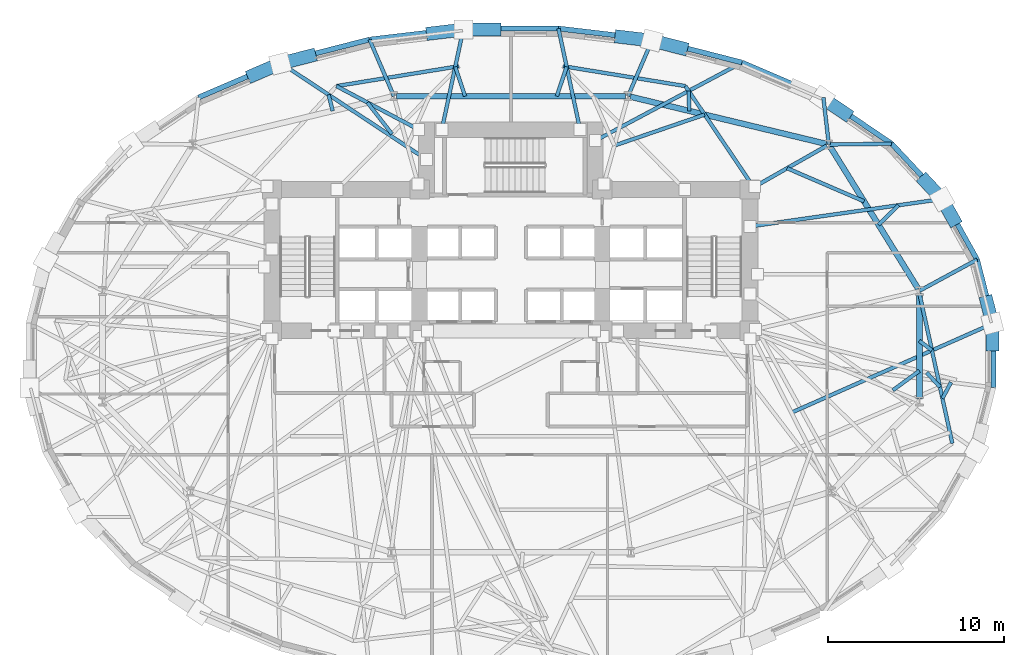
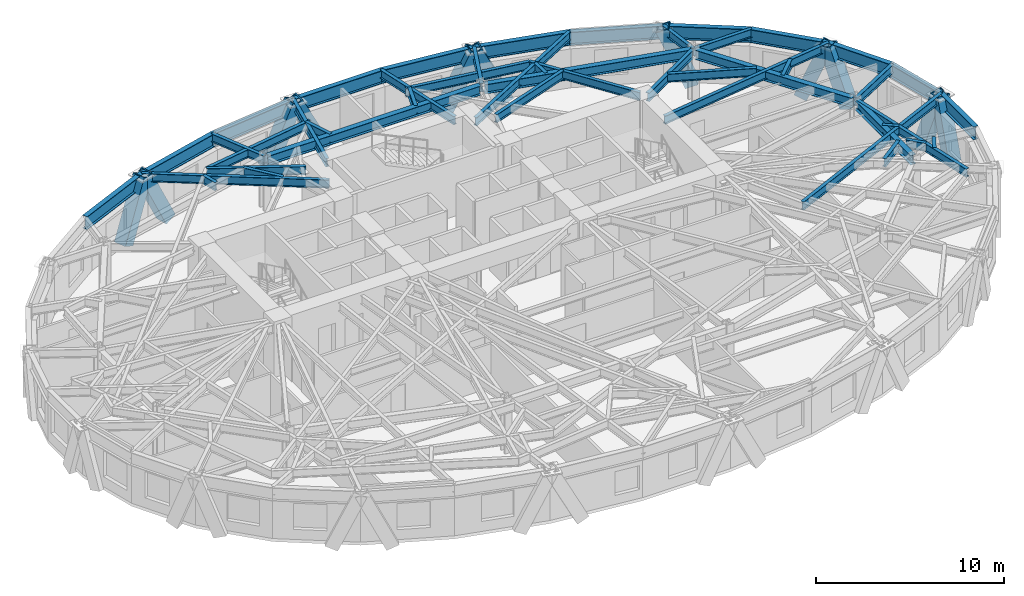
# One storey, part 4 of 13: 45 beams, 11 members.
"""IFC4 building model written with IfcOpenShell, lengths in metres."""

from ifc_helpers import new_model, si_unit, direction, frame, origin, origin_2d, place, context, subcontext, project, spatial, hollow_rectangle, i_section, extrude, material, material_profile, profile_set, type_object, element, save


model = new_model("IFC4")

# Units and contexts
model_context = context("Model", 3, precision=1e-05, world=origin(), true_north=direction((0.0, 1.0)))
body_context = subcontext(model_context, "Body", "Model", "MODEL_VIEW")
ifc_project = project(units=[si_unit("LENGTHUNIT", "METRE"), si_unit("AREAUNIT", "SQUARE_METRE"), si_unit("VOLUMEUNIT", "CUBIC_METRE"), si_unit("PLANEANGLEUNIT", "RADIAN"), si_unit("MASSUNIT", "GRAM", prefix="KILO")], contexts=[model_context])

# Site, building, storey
site_placement = place(None, origin())
site = spatial("IfcSite", under=ifc_project, at=site_placement, CompositionType="ELEMENT")
building_placement = place(site_placement, origin())
building = spatial("IfcBuilding", under=site, at=building_placement, Name="Keldmark Tower", CompositionType="ELEMENT")
storey_placement = place(building_placement, frame((0.0, 0.0, 45.0)))
storey = spatial("IfcBuildingStorey", under=building, at=storey_placement, Name="L11", CompositionType="ELEMENT", Elevation=45.0)

# Members
ifc_material_1 = material(Name="Steel ASTM A572 Grade 50", Category="steel")
ifc_material_profile_1 = material_profile(ifc_material_1, hollow_rectangle(XDim=0.75, YDim=0.75, WallThickness=0.06494140625, at=origin_2d()), Name="BOX750X750X65")
ifc_profile_set_1 = profile_set([ifc_material_profile_1], Name="Steel ASTM A572 Grade 50")
member_type = type_object("IfcMemberType", Name="Diagrid Lower Brace BOX750X750X65", PredefinedType="BRACE", material=ifc_profile_set_1)
member_1_placement = place(storey_placement, frame((27.096923828125, 3.034423828125, -0.280029296875), z_axis=(0.08200809788, -0.320071068679, 0.94383747694), x_axis=(0.968708564556, 0.248200960828, 0.0)))
element("IfcMember", 1, at=member_1_placement, inside=storey, type_object=member_type, Name="L11 Perimeter Diagrid Brace 01A", PredefinedType="BRACE", context=body_context, shape_type="SweptSolid", body=[
    extrude(hollow_rectangle(XDim=0.75, YDim=0.75, WallThickness=0.06494140625, at=origin_2d()), origin(), (0.0, 0.0, 1.0), 3.77197265625),
])
member_2_placement = place(storey_placement, frame((25.1943359375, 7.742919921875, -0.280029296875), z_axis=(-0.16943120398, 0.303561561286, 0.937626495801), x_axis=(-0.873195871477, -0.487369438963, 0.0)))
element("IfcMember", 2, at=member_2_placement, inside=storey, type_object=member_type, Name="L11 Perimeter Diagrid Brace 01B", PredefinedType="BRACE", context=body_context, shape_type="SweptSolid", body=[
    extrude(hollow_rectangle(XDim=0.75, YDim=0.75, WallThickness=0.06494140625, at=origin_2d()), origin(), (0.0, 0.0, 1.0), 3.796875),
])
member_3_placement = place(storey_placement, frame((23.576904296875, 9.93115234375, -0.280029296875), z_axis=(0.254983110742, -0.272732683571, 0.927685559092), x_axis=(0.730477044088, 0.682937250456, 0.0)))
element("IfcMember", 3, at=member_3_placement, inside=storey, type_object=member_type, Name="L11 Perimeter Diagrid Brace 02A", PredefinedType="BRACE", context=body_context, shape_type="SweptSolid", body=[
    extrude(hollow_rectangle(XDim=0.75, YDim=0.75, WallThickness=0.06494140625, at=origin_2d()), origin(), (0.0, 0.0, 1.0), 3.837646484375),
])
member_4_placement = place(storey_placement, frame((19.035400390625, 13.769775390625, -0.280029296875), z_axis=(-0.333111984049, 0.225757763784, 0.915461543799), x_axis=(-0.561020614618, -0.827801830134, 0.0)))
element("IfcMember", 4, at=member_4_placement, inside=storey, type_object=member_type, Name="L11 Perimeter Diagrid Brace 02B", PredefinedType="BRACE", context=body_context, shape_type="SweptSolid", body=[
    extrude(hollow_rectangle(XDim=0.75, YDim=0.75, WallThickness=0.06494140625, at=origin_2d()), origin(), (0.0, 0.0, 1.0), 3.888916015625),
])
member_5_placement = place(storey_placement, frame((9.722900390625, 17.493896484375, -0.280029296875), z_axis=(-0.428497120412, 0.109784320358, 0.896848716787), x_axis=(-0.248191356425, -0.96871102533, 0.0)))
element("IfcMember", 5, at=member_5_placement, inside=storey, type_object=member_type, Name="L11 Perimeter Diagrid Brace 03B", PredefinedType="BRACE", context=body_context, shape_type="SweptSolid", body=[
    extrude(hollow_rectangle(XDim=0.75, YDim=0.75, WallThickness=0.06494140625, at=origin_2d()), origin(), (0.0, 0.0, 1.0), 3.969482421875),
])
member_6_placement = place(storey_placement, frame((6.251220703125, 18.134765625, -0.280029296875), z_axis=(0.446938713655, -0.052545000865, 0.893020049674), x_axis=(0.116762289112, 0.993159890371, 0.0)))
element("IfcMember", 6, at=member_6_placement, inside=storey, type_object=member_type, Name="L11 Perimeter Diagrid Brace 04A", PredefinedType="BRACE", context=body_context, shape_type="SweptSolid", body=[
    extrude(hollow_rectangle(XDim=0.75, YDim=0.75, WallThickness=0.06494140625, at=origin_2d()), origin(), (0.0, 0.0, 1.0), 3.986572265625),
])
member_7_placement = place(storey_placement, frame((-0.90771484375, 18.551513671875, -0.280029296875), z_axis=(-0.451905727985, 0.0, 0.892065699943), x_axis=(0.0, -1.0, 0.0)))
element("IfcMember", 7, at=member_7_placement, inside=storey, type_object=member_type, Name="L11 Perimeter Diagrid Brace 04B", PredefinedType="BRACE", context=body_context, shape_type="SweptSolid", body=[
    extrude(hollow_rectangle(XDim=0.75, YDim=0.75, WallThickness=0.06494140625, at=origin_2d()), origin(), (0.0, 0.0, 1.0), 3.99072265625),
])
member_8_placement = place(storey_placement, frame((-4.48095703125, 18.342041015625, -0.280029296875), z_axis=(0.446938713655, 0.052545000865, 0.893020049674), x_axis=(-0.116762289112, 0.993159890371, 0.0)))
element("IfcMember", 8, at=member_8_placement, inside=storey, type_object=member_type, Name="L11 Perimeter Diagrid Brace 05A", PredefinedType="BRACE", context=body_context, shape_type="SweptSolid", body=[
    extrude(hollow_rectangle(XDim=0.75, YDim=0.75, WallThickness=0.06494140625, at=origin_2d()), origin(), (0.0, 0.0, 1.0), 3.986572265625),
])
member_9_placement = place(storey_placement, frame((-11.43505859375, 17.053466796875, -0.280029296875), z_axis=(-0.428494226352, -0.109845082283, 0.89684265949), x_axis=(0.248321827558, -0.96867758824, 0.0)))
element("IfcMember", 9, at=member_9_placement, inside=storey, type_object=member_type, Name="L11 Perimeter Diagrid Brace 05B", PredefinedType="BRACE", context=body_context, shape_type="SweptSolid", body=[
    extrude(hollow_rectangle(XDim=0.75, YDim=0.75, WallThickness=0.06494140625, at=origin_2d()), origin(), (0.0, 0.0, 1.0), 3.969482421875),
])
member_10_placement = place(storey_placement, frame((-14.66943359375, 15.958984375, -0.280029296875), z_axis=(0.392299493002, 0.168429564178, 0.904285679253), x_axis=(-0.394515266189, 0.918889386566, 0.0)))
element("IfcMember", 10, at=member_10_placement, inside=storey, type_object=member_type, Name="L11 Perimeter Diagrid Brace 06A", PredefinedType="BRACE", context=body_context, shape_type="SweptSolid", body=[
    extrude(hollow_rectangle(XDim=0.75, YDim=0.75, WallThickness=0.06494140625, at=origin_2d()), origin(), (0.0, 0.0, 1.0), 3.936767578125),
])
member_11_placement = place(storey_placement, frame((27.40625, 0.616943359375, -0.280029296875), z_axis=(0.0, 0.324641042054, 0.945837297749), x_axis=(-1.0, 0.0, 0.0)))
element("IfcMember", 11, at=member_11_placement, inside=storey, type_object=member_type, Name="L11 Perimeter Diagrid Brace 16B", PredefinedType="BRACE", context=body_context, shape_type="SweptSolid", body=[
    extrude(hollow_rectangle(XDim=0.75, YDim=0.75, WallThickness=0.06494140625, at=origin_2d()), origin(), (0.0, 0.0, 1.0), 3.763916015625),
])

# Beams
ifc_material_2 = material(Name="Steel ASTM A992 Grade 50", Category="steel")
ifc_material_profile_2 = material_profile(ifc_material_2, i_section(OverallWidth=0.323974609375, OverallDepth=0.611083984375, WebThickness=0.0126953125, FlangeThickness=0.01904296875, at=origin_2d()), Name="W24X104")
ifc_profile_set_2 = profile_set([ifc_material_profile_2], Name="Steel ASTM A992 Grade 50")
beam_type_1 = type_object("IfcBeamType", Name="Primary Floor Girder W24X104", PredefinedType="BEAM", material=ifc_profile_set_2)
beam_1_placement = place(storey_placement, frame((23.180419921875, 3.796142578125, 3.094482421875), z_axis=(-0.526318405849, 0.850287560573, 0.0), x_axis=(-0.850287560573, -0.526318405849, 0.0)))
element("IfcBeam", 12, at=beam_1_placement, inside=storey, type_object=beam_type_1, Name="L11 Floor Ring Girder FG-R01", PredefinedType="BEAM", context=body_context, shape_type="SweptSolid", body=[
    extrude(i_section(OverallWidth=0.323974609375, OverallDepth=0.611083984375, WebThickness=0.0126953125, FlangeThickness=0.01904296875, at=origin_2d()), origin(), (0.0, 0.0, 1.0), 9.51708984375),
])
beam_2_placement = place(storey_placement, frame((17.961669921875, 12.040283203125, 3.094482421875), z_axis=(-0.972218707757, 0.2340743136, 0.0), x_axis=(-0.2340743136, -0.972218707757, 0.0)))
element("IfcBeam", 13, at=beam_2_placement, inside=storey, type_object=beam_type_1, Name="L11 Floor Ring Girder FG-R02", PredefinedType="BEAM", context=body_context, shape_type="SweptSolid", body=[
    extrude(i_section(OverallWidth=0.323974609375, OverallDepth=0.611083984375, WebThickness=0.0126953125, FlangeThickness=0.01904296875, at=origin_2d()), origin(), (0.0, 0.0, 1.0), 11.479248046875),
])
beam_3_placement = place(storey_placement, frame((6.525146484375, 14.760009765625, 3.094482421875), z_axis=(-1.0, 0.0, 0.0), x_axis=(0.0, -1.0, 0.0)))
element("IfcBeam", 14, at=beam_3_placement, inside=storey, type_object=beam_type_1, Name="L11 Floor Ring Girder FG-R03", PredefinedType="BEAM", context=body_context, shape_type="SweptSolid", body=[
    extrude(i_section(OverallWidth=0.323974609375, OverallDepth=0.611083984375, WebThickness=0.0126953125, FlangeThickness=0.01904296875, at=origin_2d()), origin(), (0.0, 0.0, 1.0), 13.05029296875),
])
beam_4_placement = place(storey_placement, frame((23.25390625, -2.47314453125, 3.094482421875), z_axis=(0.0, 1.0, 0.0), x_axis=(-1.0, 0.0, 0.0)))
element("IfcBeam", 15, at=beam_4_placement, inside=storey, type_object=beam_type_1, Name="L11 Floor Ring Girder FG-R12", PredefinedType="BEAM", context=body_context, shape_type="SweptSolid", body=[
    extrude(i_section(OverallWidth=0.323974609375, OverallDepth=0.611083984375, WebThickness=0.0126953125, FlangeThickness=0.01904296875, at=origin_2d()), origin(), (0.0, 0.0, 1.0), 6.01025390625),
])
ifc_material_3 = material(Name="Steel ASTM A992 Grade 50", Category="steel")
ifc_material_profile_3 = material_profile(ifc_material_3, i_section(OverallWidth=0.2099609375, OverallDepth=0.537109375, WebThickness=0.010986328125, FlangeThickness=0.017333984375, at=origin_2d()), Name="W21X68")
ifc_profile_set_3 = profile_set([ifc_material_profile_3], Name="Steel ASTM A992 Grade 50")
beam_type_2 = type_object("IfcBeamType", Name="Radial Tie Girder W21X68", PredefinedType="BEAM", material=ifc_profile_set_3)
beam_5_placement = place(storey_placement, frame((5.889404296875, 11.948486328125, 3.131591796875), z_axis=(0.94599832842, 0.324171501872, 0.0), x_axis=(-0.324171501872, 0.94599832842, 0.0)))
element("IfcBeam", 16, at=beam_5_placement, inside=storey, type_object=beam_type_2, Name="L11 Framing Pin Header PH-001", PredefinedType="BEAM", context=body_context, shape_type="SweptSolid", body=[
    extrude(i_section(OverallWidth=0.2099609375, OverallDepth=0.537109375, WebThickness=0.010986328125, FlangeThickness=0.017333984375, at=origin_2d()), origin(), (0.0, 0.0, 1.0), 5.432373046875),
])
beam_6_placement = place(storey_placement, frame((13.60009765625, 9.89990234375, 3.131591796875), z_axis=(-0.559521471591, 0.828815855802, 0.0), x_axis=(-0.828815855802, -0.559521471591, 0.0)))
element("IfcBeam", 17, at=beam_6_placement, inside=storey, type_object=beam_type_2, Name="L11 Sub-Ring Step Girder STP1-M02", PredefinedType="BEAM", context=body_context, shape_type="SweptSolid", body=[
    extrude(i_section(OverallWidth=0.2099609375, OverallDepth=0.537109375, WebThickness=0.010986328125, FlangeThickness=0.017333984375, at=origin_2d()), origin(), (0.0, 0.0, 1.0), 6.5546875),
])
beam_7_placement = place(storey_placement, frame((-6.775390625, 12.607421875, 3.131591796875), z_axis=(-0.614380011532, 0.789010266999, 0.0), x_axis=(-0.789010266999, -0.614380011532, 0.0)))
element("IfcBeam", 18, at=beam_7_placement, inside=storey, type_object=beam_type_2, Name="L11 Framing Pin Header PH-004", PredefinedType="BEAM", context=body_context, shape_type="SweptSolid", body=[
    extrude(i_section(OverallWidth=0.2099609375, OverallDepth=0.537109375, WebThickness=0.010986328125, FlangeThickness=0.017333984375, at=origin_2d()), origin(), (0.0, 0.0, 1.0), 2.26904296875),
])
beam_8_placement = place(storey_placement, frame((-5.25, 12.85009765625, 3.131591796875), z_axis=(-0.883523338204, 0.468387137792, 0.0), x_axis=(-0.468387137792, -0.883523338204, 0.0)))
element("IfcBeam", 19, at=beam_8_placement, inside=storey, type_object=beam_type_2, Name="L11 Sub-Ring Step Girder STP1-M05", PredefinedType="BEAM", context=body_context, shape_type="SweptSolid", body=[
    extrude(i_section(OverallWidth=0.2099609375, OverallDepth=0.537109375, WebThickness=0.010986328125, FlangeThickness=0.017333984375, at=origin_2d()), origin(), (0.0, 0.0, 1.0), 5.300048828125),
])
beam_9_placement = place(storey_placement, frame((21.740234375, -1.98388671875, 3.131591796875), z_axis=(0.806632426687, 0.591053405554, 0.0), x_axis=(-0.591053405554, 0.806632426687, 0.0)))
element("IfcBeam", 20, at=beam_9_placement, inside=storey, type_object=beam_type_2, Name="L11 Framing Pin Header PH-008", PredefinedType="BEAM", context=body_context, shape_type="SweptSolid", body=[
    extrude(i_section(OverallWidth=0.2099609375, OverallDepth=0.537109375, WebThickness=0.010986328125, FlangeThickness=0.017333984375, at=origin_2d()), origin(), (0.0, 0.0, 1.0), 1.87646484375),
])
for number, where, z_axis, x_axis, name in (
    (21, (9.9326171875, 15.33251953125, 3.131591796875), (-0.987017599619, 0.160612135416, 0.0), (-0.160612135416, -0.987017599619, 0.0), "L11 Perimeter Collector Ring Beam CRG1-M02"),
    (22, (-2.965087890625, 16.46630859375, 3.131591796875), (-0.987017599619, -0.160612135416, 0.0), (0.160612135416, -0.987017599619, 0.0), "L11 Perimeter Collector Ring Beam CRG1-M04"),
):
    element("IfcBeam", number, at=place(storey_placement, frame(where, z_axis=z_axis, x_axis=x_axis)), inside=storey, type_object=beam_type_2, Name=name, PredefinedType="BEAM", context=body_context, shape_type="SweptSolid", body=[
        extrude(i_section(OverallWidth=0.2099609375, OverallDepth=0.537109375, WebThickness=0.010986328125, FlangeThickness=0.017333984375, at=origin_2d()), origin(), (0.0, 0.0, 1.0), 7.05908203125),
    ])
beam_10_placement = place(storey_placement, frame((15.72216796875, 10.65673828125, 3.131591796875), z_axis=(0.918415191606, -0.395617916464, 0.0), x_axis=(0.395617916464, 0.918415191606, 0.0)))
element("IfcBeam", 23, at=beam_10_placement, inside=storey, type_object=beam_type_2, Name="L11 Framing Pin Header PH-009", PredefinedType="BEAM", context=body_context, shape_type="SweptSolid", body=[
    extrude(i_section(OverallWidth=0.2099609375, OverallDepth=0.537109375, WebThickness=0.010986328125, FlangeThickness=0.017333984375, at=origin_2d()), origin(), (0.0, 0.0, 1.0), 4.768310546875),
])
beam_11_placement = place(storey_placement, frame((23.66845703125, -0.977294921875, 3.131591796875), z_axis=(0.675774047362, -0.737108836544, 0.0), x_axis=(0.737108836544, 0.675774047362, 0.0)))
element("IfcBeam", 24, at=beam_11_placement, inside=storey, type_object=beam_type_2, Name="L11 Framing Pin Header PH-015", PredefinedType="BEAM", context=body_context, shape_type="SweptSolid", body=[
    extrude(i_section(OverallWidth=0.2099609375, OverallDepth=0.537109375, WebThickness=0.010986328125, FlangeThickness=0.017333984375, at=origin_2d()), origin(), (0.0, 0.0, 1.0), 1.118408203125),
])
beam_12_placement = place(storey_placement, frame((23.25390625, 3.537109375, 3.131591796875), z_axis=(0.214137140926, -0.976803606093, 0.0), x_axis=(0.976803606093, 0.214137140926, 0.0)))
element("IfcBeam", 25, at=beam_12_placement, inside=storey, type_object=beam_type_2, Name="L11 Sub-Ring Step Girder STP2-M12", PredefinedType="BEAM", context=body_context, shape_type="SweptSolid", body=[
    extrude(i_section(OverallWidth=0.2099609375, OverallDepth=0.537109375, WebThickness=0.010986328125, FlangeThickness=0.017333984375, at=origin_2d()), origin(), (0.0, 0.0, 1.0), 8.748046875),
])
beam_13_placement = place(storey_placement, frame((23.25390625, 0.83251953125, 3.131591796875), z_axis=(0.792613901629, -0.609723874344, 0.0), x_axis=(0.609723874344, 0.792613901629, 0.0)))
element("IfcBeam", 26, at=beam_13_placement, inside=storey, type_object=beam_type_2, Name="L11 Framing Pin Header PH-016", PredefinedType="BEAM", context=body_context, shape_type="SweptSolid", body=[
    extrude(i_section(OverallWidth=0.2099609375, OverallDepth=0.537109375, WebThickness=0.010986328125, FlangeThickness=0.017333984375, at=origin_2d()), origin(), (0.0, 0.0, 1.0), 0.899658203125),
])
beam_14_placement = place(storey_placement, frame((15.96728515625, -3.258056640625, 3.131591796875), z_axis=(0.914383067836, 0.404850102204, 0.0), x_axis=(-0.404850102204, 0.914383067836, 0.0)))
element("IfcBeam", 27, at=beam_14_placement, inside=storey, type_object=beam_type_2, Name="L11 Perimeter Radial Tie Girder RT-01", PredefinedType="BEAM", context=body_context, shape_type="SweptSolid", body=[
    extrude(i_section(OverallWidth=0.2099609375, OverallDepth=0.537109375, WebThickness=0.010986328125, FlangeThickness=0.017333984375, at=origin_2d()), origin(), (0.0, 0.0, 1.0), 12.5751953125),
])
beam_15_placement = place(storey_placement, frame((23.25390625, 3.67724609375, 3.131591796875), z_axis=(0.8794299536, 0.476028315031, 0.0), x_axis=(-0.476028315031, 0.8794299536, 0.0)))
element("IfcBeam", 28, at=beam_15_placement, inside=storey, type_object=beam_type_2, Name="L11 Perimeter Column Bracket RT-02", PredefinedType="BEAM", context=body_context, shape_type="SweptSolid", body=[
    extrude(i_section(OverallWidth=0.2099609375, OverallDepth=0.537109375, WebThickness=0.010986328125, FlangeThickness=0.017333984375, at=origin_2d()), origin(), (0.0, 0.0, 1.0), 3.734619140625),
])
beam_16_placement = place(storey_placement, frame((20.92626953125, 7.437744140625, 3.131591796875), z_axis=(0.714817341796, 0.699311209597, 0.0), x_axis=(-0.699311209597, 0.714817341796, 0.0)))
element("IfcBeam", 29, at=beam_16_placement, inside=storey, type_object=beam_type_2, Name="L11 Framing Pin Header PH-017", PredefinedType="BEAM", context=body_context, shape_type="SweptSolid", body=[
    extrude(i_section(OverallWidth=0.2099609375, OverallDepth=0.537109375, WebThickness=0.010986328125, FlangeThickness=0.017333984375, at=origin_2d()), origin(), (0.0, 0.0, 1.0), 1.59033203125),
])
beam_17_placement = place(storey_placement, frame((13.60009765625, 7.343017578125, 3.131591796875), z_axis=(0.989984592314, 0.141175447518, 0.0), x_axis=(-0.141175447518, 0.989984592314, 0.0)))
element("IfcBeam", 30, at=beam_17_placement, inside=storey, type_object=beam_type_2, Name="L11 Perimeter Radial Tie Girder RT-03", PredefinedType="BEAM", context=body_context, shape_type="SweptSolid", body=[
    extrude(i_section(OverallWidth=0.2099609375, OverallDepth=0.537109375, WebThickness=0.010986328125, FlangeThickness=0.017333984375, at=origin_2d()), origin(), (0.0, 0.0, 1.0), 11.11962890625),
])
beam_18_placement = place(storey_placement, frame((18.09765625, 12.00732421875, 3.131591796875), z_axis=(0.999921071329, 0.012563881257, 0.0), x_axis=(-0.012563881257, 0.999921071329, 0.0)))
element("IfcBeam", 31, at=beam_18_placement, inside=storey, type_object=beam_type_2, Name="L11 Perimeter Column Bracket RT-04", PredefinedType="BEAM", context=body_context, shape_type="SweptSolid", body=[
    extrude(i_section(OverallWidth=0.2099609375, OverallDepth=0.537109375, WebThickness=0.010986328125, FlangeThickness=0.017333984375, at=origin_2d()), origin(), (0.0, 0.0, 1.0), 3.575439453125),
])
beam_19_placement = place(storey_placement, frame((18.09765625, 12.00732421875, 3.131591796875), z_axis=(-0.115438533169, 0.993314625413, 0.0), x_axis=(-0.993314625413, -0.115438533169, 0.0)))
element("IfcBeam", 32, at=beam_19_placement, inside=storey, type_object=beam_type_2, Name="L11 Perimeter Column Bracket RT-05", PredefinedType="BEAM", context=body_context, shape_type="SweptSolid", body=[
    extrude(i_section(OverallWidth=0.2099609375, OverallDepth=0.537109375, WebThickness=0.010986328125, FlangeThickness=0.017333984375, at=origin_2d()), origin(), (0.0, 0.0, 1.0), 2.696533203125),
])
beam_20_placement = place(storey_placement, frame((10.1494140625, 13.921142578125, 3.131591796875), z_axis=(-0.027695557598, 0.999616404472, 0.0), x_axis=(-0.999616404472, -0.027695557598, 0.0)))
element("IfcBeam", 33, at=beam_20_placement, inside=storey, type_object=beam_type_2, Name="L11 Framing Pin Header PH-018", PredefinedType="BEAM", context=body_context, shape_type="SweptSolid", body=[
    extrude(i_section(OverallWidth=0.2099609375, OverallDepth=0.537109375, WebThickness=0.010986328125, FlangeThickness=0.017333984375, at=origin_2d()), origin(), (0.0, 0.0, 1.0), 1.13720703125),
])
beam_21_placement = place(storey_placement, frame((4.800048828125, 12.22509765625, 3.131591796875), z_axis=(0.882588469894, 0.470146352544, 0.0), x_axis=(-0.470146352544, 0.882588469894, 0.0)))
element("IfcBeam", 34, at=beam_21_placement, inside=storey, type_object=beam_type_2, Name="L11 Perimeter Radial Tie Girder RT-06", PredefinedType="BEAM", context=body_context, shape_type="SweptSolid", body=[
    extrude(i_section(OverallWidth=0.2099609375, OverallDepth=0.537109375, WebThickness=0.010986328125, FlangeThickness=0.017333984375, at=origin_2d()), origin(), (0.0, 0.0, 1.0), 9.464599609375),
])
beam_22_placement = place(storey_placement, frame((6.6650390625, 14.760009765625, 3.131591796875), z_axis=(0.3949102692, 0.918719695707, 0.0), x_axis=(-0.918719695707, 0.3949102692, 0.0)))
element("IfcBeam", 35, at=beam_22_placement, inside=storey, type_object=beam_type_2, Name="L11 Perimeter Column Bracket RT-07", PredefinedType="BEAM", context=body_context, shape_type="SweptSolid", body=[
    extrude(i_section(OverallWidth=0.2099609375, OverallDepth=0.537109375, WebThickness=0.010986328125, FlangeThickness=0.017333984375, at=origin_2d()), origin(), (0.0, 0.0, 1.0), 3.5078125),
])
beam_23_placement = place(storey_placement, frame((2.610107421875, 14.760009765625, 3.131591796875), z_axis=(0.3180123932, 0.948086556054, 0.0), x_axis=(-0.948086556054, 0.3180123932, 0.0)))
element("IfcBeam", 36, at=beam_23_placement, inside=storey, type_object=beam_type_2, Name="L11 Framing Pin Header PH-019", PredefinedType="BEAM", context=body_context, shape_type="SweptSolid", body=[
    extrude(i_section(OverallWidth=0.2099609375, OverallDepth=0.537109375, WebThickness=0.010986328125, FlangeThickness=0.017333984375, at=origin_2d()), origin(), (0.0, 0.0, 1.0), 1.76416015625),
])
beam_24_placement = place(storey_placement, frame((3.9375, 12.85009765625, 3.131591796875), z_axis=(-0.209192295386, 0.977874523419, 0.0), x_axis=(-0.977874523419, -0.209192295386, 0.0)))
element("IfcBeam", 37, at=beam_24_placement, inside=storey, type_object=beam_type_2, Name="L11 Perimeter Radial Tie Girder RT-08", PredefinedType="BEAM", context=body_context, shape_type="SweptSolid", body=[
    extrude(i_section(OverallWidth=0.2099609375, OverallDepth=0.537109375, WebThickness=0.010986328125, FlangeThickness=0.017333984375, at=origin_2d()), origin(), (0.0, 0.0, 1.0), 5.891357421875),
])
beam_25_placement = place(storey_placement, frame((-2.610107421875, 14.760009765625, 3.131591796875), z_axis=(-0.3180123932, 0.948086556054, 0.0), x_axis=(-0.948086556054, -0.3180123932, 0.0)))
element("IfcBeam", 38, at=beam_25_placement, inside=storey, type_object=beam_type_2, Name="L11 Framing Pin Header PH-020", PredefinedType="BEAM", context=body_context, shape_type="SweptSolid", body=[
    extrude(i_section(OverallWidth=0.2099609375, OverallDepth=0.537109375, WebThickness=0.010986328125, FlangeThickness=0.017333984375, at=origin_2d()), origin(), (0.0, 0.0, 1.0), 1.76416015625),
])
beam_26_placement = place(storey_placement, frame((-3.9375, 12.85009765625, 3.131591796875), z_axis=(0.209192295386, 0.977874523419, 0.0), x_axis=(-0.977874523419, 0.209192295386, 0.0)))
element("IfcBeam", 39, at=beam_26_placement, inside=storey, type_object=beam_type_2, Name="L11 Perimeter Radial Tie Girder RT-09", PredefinedType="BEAM", context=body_context, shape_type="SweptSolid", body=[
    extrude(i_section(OverallWidth=0.2099609375, OverallDepth=0.537109375, WebThickness=0.010986328125, FlangeThickness=0.017333984375, at=origin_2d()), origin(), (0.0, 0.0, 1.0), 5.891357421875),
])
beam_27_placement = place(storey_placement, frame((-6.6650390625, 14.760009765625, 3.131591796875), z_axis=(-0.3949102692, 0.918719695707, 0.0), x_axis=(-0.918719695707, -0.3949102692, 0.0)))
element("IfcBeam", 40, at=beam_27_placement, inside=storey, type_object=beam_type_2, Name="L11 Perimeter Column Bracket RT-10", PredefinedType="BEAM", context=body_context, shape_type="SweptSolid", body=[
    extrude(i_section(OverallWidth=0.2099609375, OverallDepth=0.537109375, WebThickness=0.010986328125, FlangeThickness=0.017333984375, at=origin_2d()), origin(), (0.0, 0.0, 1.0), 3.5078125),
])
beam_28_placement = place(storey_placement, frame((-10.1494140625, 13.921142578125, 3.131591796875), z_axis=(-0.246337501647, 0.969184108043, 0.0), x_axis=(-0.969184108043, -0.246337501647, 0.0)))
element("IfcBeam", 41, at=beam_28_placement, inside=storey, type_object=beam_type_2, Name="L11 Framing Pin Header PH-021", PredefinedType="BEAM", context=body_context, shape_type="SweptSolid", body=[
    extrude(i_section(OverallWidth=0.2099609375, OverallDepth=0.537109375, WebThickness=0.010986328125, FlangeThickness=0.017333984375, at=origin_2d()), origin(), (0.0, 0.0, 1.0), 0.951416015625),
])
beam_29_placement = place(storey_placement, frame((-4.800048828125, 11.14990234375, 3.131591796875), z_axis=(-0.834069941472, 0.551658710376, 0.0), x_axis=(-0.551658710376, -0.834069941472, 0.0)))
element("IfcBeam", 42, at=beam_29_placement, inside=storey, type_object=beam_type_2, Name="L11 Perimeter Radial Tie Girder RT-11", PredefinedType="BEAM", context=body_context, shape_type="SweptSolid", body=[
    extrude(i_section(OverallWidth=0.2099609375, OverallDepth=0.537109375, WebThickness=0.010986328125, FlangeThickness=0.017333984375, at=origin_2d()), origin(), (0.0, 0.0, 1.0), 10.01513671875),
])
beam_30_placement = place(storey_placement, frame((24.565185546875, -2.4443359375, 3.131591796875), z_axis=(0.471298186467, 0.881973933534, 0.0), x_axis=(-0.881973933534, 0.471298186467, 0.0)))
element("IfcBeam", 43, at=beam_30_placement, inside=storey, type_object=beam_type_2, Name="L11 Framing Pin Header PH-043", PredefinedType="BEAM", context=body_context, shape_type="SweptSolid", body=[
    extrude(i_section(OverallWidth=0.2099609375, OverallDepth=0.537109375, WebThickness=0.010986328125, FlangeThickness=0.017333984375, at=origin_2d()), origin(), (0.0, 0.0, 1.0), 1.034912109375),
])
ifc_material_4 = material(Name="Steel ASTM A992 Grade 50", Category="steel")
ifc_material_profile_4 = material_profile(ifc_material_4, i_section(OverallWidth=0.214111328125, OverallDepth=0.549072265625, WebThickness=0.0146484375, FlangeThickness=0.023681640625, at=origin_2d()), Name="W21X93")
ifc_profile_set_4 = profile_set([ifc_material_profile_4], Name="Steel ASTM A992 Grade 50")
beam_type_3 = type_object("IfcBeamType", Name="Radial Tie Girder W21X93", PredefinedType="BEAM", material=ifc_profile_set_4)
beam_31_placement = place(storey_placement, frame((17.97607421875, 11.938232421875, 3.12548828125), z_axis=(-0.869299282131, -0.494286109542, 0.0), x_axis=(0.494286109542, -0.869299282131, 0.0)))
element("IfcBeam", 44, at=beam_31_placement, inside=storey, type_object=beam_type_3, Name="L11 Floor Radial Girder FG-C02", PredefinedType="BEAM", context=body_context, shape_type="SweptSolid", body=[
    extrude(i_section(OverallWidth=0.214111328125, OverallDepth=0.549072265625, WebThickness=0.0146484375, FlangeThickness=0.023681640625, at=origin_2d()), origin(), (0.0, 0.0, 1.0), 4.714111328125),
])
ifc_material_5 = material(Name="Steel ASTM A992 Grade 50", Category="steel")
ifc_material_profile_5 = material_profile(ifc_material_5, i_section(OverallWidth=0.2919921875, OverallDepth=0.85888671875, WebThickness=0.01708984375, FlangeThickness=0.031005859375, at=origin_2d()), Name="W33X169")
ifc_profile_set_5 = profile_set([ifc_material_profile_5], Name="Steel ASTM A992 Grade 50")
beam_type_4 = type_object("IfcBeamType", Name="Spandrel Ring Beam W33X169", PredefinedType="SPANDREL", material=ifc_profile_set_5)
beam_32_placement = place(storey_placement, frame((27.4658203125, 1.8330078125, 2.970458984375), z_axis=(-0.248062710061, 0.968743976434, 0.0), x_axis=(-0.968743976434, -0.248062710061, 0.0)))
element("IfcBeam", 45, at=beam_32_placement, inside=storey, type_object=beam_type_4, Name="L11 Perimeter Spandrel Ring Beam SRB-01", PredefinedType="SPANDREL", context=body_context, shape_type="SweptSolid", body=[
    extrude(i_section(OverallWidth=0.2919921875, OverallDepth=0.85888671875, WebThickness=0.01708984375, FlangeThickness=0.031005859375, at=origin_2d()), origin(), (0.0, 0.0, 1.0), 3.739013671875),
])
beam_33_placement = place(storey_placement, frame((26.538330078125, 5.455078125, 2.970458984375), z_axis=(-0.487369438963, 0.873195871477, 0.0), x_axis=(-0.873195871477, -0.487369438963, 0.0)))
element("IfcBeam", 46, at=beam_33_placement, inside=storey, type_object=beam_type_4, Name="L11 Perimeter Spandrel Ring Beam SRB-02", PredefinedType="SPANDREL", context=body_context, shape_type="SweptSolid", body=[
    extrude(i_section(OverallWidth=0.2919921875, OverallDepth=0.85888671875, WebThickness=0.01708984375, FlangeThickness=0.031005859375, at=origin_2d()), origin(), (0.0, 0.0, 1.0), 3.9599609375),
])
beam_34_placement = place(storey_placement, frame((24.6083984375, 8.912841796875, 2.970458984375), z_axis=(-0.68299392258, 0.730424056093, 0.0), x_axis=(-0.730424056093, -0.68299392258, 0.0)))
element("IfcBeam", 47, at=beam_34_placement, inside=storey, type_object=beam_type_4, Name="L11 Perimeter Spandrel Ring Beam SRB-03", PredefinedType="SPANDREL", context=body_context, shape_type="SweptSolid", body=[
    extrude(i_section(OverallWidth=0.2919921875, OverallDepth=0.85888671875, WebThickness=0.01708984375, FlangeThickness=0.031005859375, at=origin_2d()), origin(), (0.0, 0.0, 1.0), 4.298095703125),
])
beam_35_placement = place(storey_placement, frame((21.6728515625, 12.05224609375, 2.970458984375), z_axis=(-0.827842346852, 0.560960826402, 0.0), x_axis=(-0.560960826402, -0.827842346852, 0.0)))
element("IfcBeam", 48, at=beam_35_placement, inside=storey, type_object=beam_type_4, Name="L11 Perimeter Spandrel Ring Beam SRB-04", PredefinedType="SPANDREL", context=body_context, shape_type="SweptSolid", body=[
    extrude(i_section(OverallWidth=0.2919921875, OverallDepth=0.85888671875, WebThickness=0.01708984375, FlangeThickness=0.031005859375, at=origin_2d()), origin(), (0.0, 0.0, 1.0), 4.69482421875),
])
beam_36_placement = place(storey_placement, frame((17.786376953125, 14.685791015625, 2.970458984375), z_axis=(-0.91889940345, 0.394491934442, 0.0), x_axis=(-0.394491934442, -0.91889940345, 0.0)))
element("IfcBeam", 49, at=beam_36_placement, inside=storey, type_object=beam_type_4, Name="L11 Perimeter Spandrel Ring Beam SRB-05", PredefinedType="SPANDREL", context=body_context, shape_type="SweptSolid", body=[
    extrude(i_section(OverallWidth=0.2919921875, OverallDepth=0.85888671875, WebThickness=0.01708984375, FlangeThickness=0.031005859375, at=origin_2d()), origin(), (0.0, 0.0, 1.0), 5.0419921875),
])
beam_37_placement = place(storey_placement, frame((13.1533203125, 16.6748046875, 2.970458984375), z_axis=(-0.968691592339, 0.248267192621, 0.0), x_axis=(-0.248267192621, -0.968691592339, 0.0)))
element("IfcBeam", 50, at=beam_37_placement, inside=storey, type_object=beam_type_4, Name="L11 Perimeter Spandrel Ring Beam SRB-06", PredefinedType="SPANDREL", context=body_context, shape_type="SweptSolid", body=[
    extrude(i_section(OverallWidth=0.2919921875, OverallDepth=0.85888671875, WebThickness=0.01708984375, FlangeThickness=0.031005859375, at=origin_2d()), origin(), (0.0, 0.0, 1.0), 5.26806640625),
])
beam_38_placement = place(storey_placement, frame((8.05029296875, 17.982666015625, 2.970458984375), z_axis=(-0.993159890371, 0.116762289112, 0.0), x_axis=(-0.116762289112, -0.993159890371, 0.0)))
element("IfcBeam", 51, at=beam_38_placement, inside=storey, type_object=beam_type_4, Name="L11 Perimeter Spandrel Ring Beam SRB-07", PredefinedType="SPANDREL", context=body_context, shape_type="SweptSolid", body=[
    extrude(i_section(OverallWidth=0.2919921875, OverallDepth=0.85888671875, WebThickness=0.01708984375, FlangeThickness=0.031005859375, at=origin_2d()), origin(), (0.0, 0.0, 1.0), 5.382080078125),
])
beam_39_placement = place(storey_placement, frame((2.705078125, 18.611083984375, 2.970458984375), z_axis=(-1.0, 0.0, 0.0), x_axis=(0.0, -1.0, 0.0)))
element("IfcBeam", 52, at=beam_39_placement, inside=storey, type_object=beam_type_4, Name="L11 Perimeter Spandrel Ring Beam SRB-08", PredefinedType="SPANDREL", context=body_context, shape_type="SweptSolid", body=[
    extrude(i_section(OverallWidth=0.2919921875, OverallDepth=0.85888671875, WebThickness=0.01708984375, FlangeThickness=0.031005859375, at=origin_2d()), origin(), (0.0, 0.0, 1.0), 5.41015625),
])
beam_40_placement = place(storey_placement, frame((-2.705078125, 18.611083984375, 2.970458984375), z_axis=(-0.993159890371, -0.116762289112, 0.0), x_axis=(0.116762289112, -0.993159890371, 0.0)))
element("IfcBeam", 53, at=beam_40_placement, inside=storey, type_object=beam_type_4, Name="L11 Perimeter Spandrel Ring Beam SRB-09", PredefinedType="SPANDREL", context=body_context, shape_type="SweptSolid", body=[
    extrude(i_section(OverallWidth=0.2919921875, OverallDepth=0.85888671875, WebThickness=0.01708984375, FlangeThickness=0.031005859375, at=origin_2d()), origin(), (0.0, 0.0, 1.0), 5.382080078125),
])
beam_41_placement = place(storey_placement, frame((-8.05029296875, 17.982666015625, 2.970458984375), z_axis=(-0.968691592339, -0.248267192621, 0.0), x_axis=(0.248267192621, -0.968691592339, 0.0)))
element("IfcBeam", 54, at=beam_41_placement, inside=storey, type_object=beam_type_4, Name="L11 Perimeter Spandrel Ring Beam SRB-10", PredefinedType="SPANDREL", context=body_context, shape_type="SweptSolid", body=[
    extrude(i_section(OverallWidth=0.2919921875, OverallDepth=0.85888671875, WebThickness=0.01708984375, FlangeThickness=0.031005859375, at=origin_2d()), origin(), (0.0, 0.0, 1.0), 5.26806640625),
])
beam_42_placement = place(storey_placement, frame((-13.1533203125, 16.6748046875, 2.970458984375), z_axis=(-0.91889940345, -0.394491934442, 0.0), x_axis=(0.394491934442, -0.91889940345, 0.0)))
element("IfcBeam", 55, at=beam_42_placement, inside=storey, type_object=beam_type_4, Name="L11 Perimeter Spandrel Ring Beam SRB-11", PredefinedType="SPANDREL", context=body_context, shape_type="SweptSolid", body=[
    extrude(i_section(OverallWidth=0.2919921875, OverallDepth=0.85888671875, WebThickness=0.01708984375, FlangeThickness=0.031005859375, at=origin_2d()), origin(), (0.0, 0.0, 1.0), 5.0419921875),
])
beam_43_placement = place(storey_placement, frame((27.4658203125, -1.8330078125, 2.970458984375), z_axis=(0.0, 1.0, 0.0), x_axis=(-1.0, 0.0, 0.0)))
element("IfcBeam", 56, at=beam_43_placement, inside=storey, type_object=beam_type_4, Name="L11 Perimeter Spandrel Ring Beam SRB-32", PredefinedType="SPANDREL", context=body_context, shape_type="SweptSolid", body=[
    extrude(i_section(OverallWidth=0.2919921875, OverallDepth=0.85888671875, WebThickness=0.01708984375, FlangeThickness=0.031005859375, at=origin_2d()), origin(), (0.0, 0.0, 1.0), 3.666015625),
])

save(model, "model.ifc")
